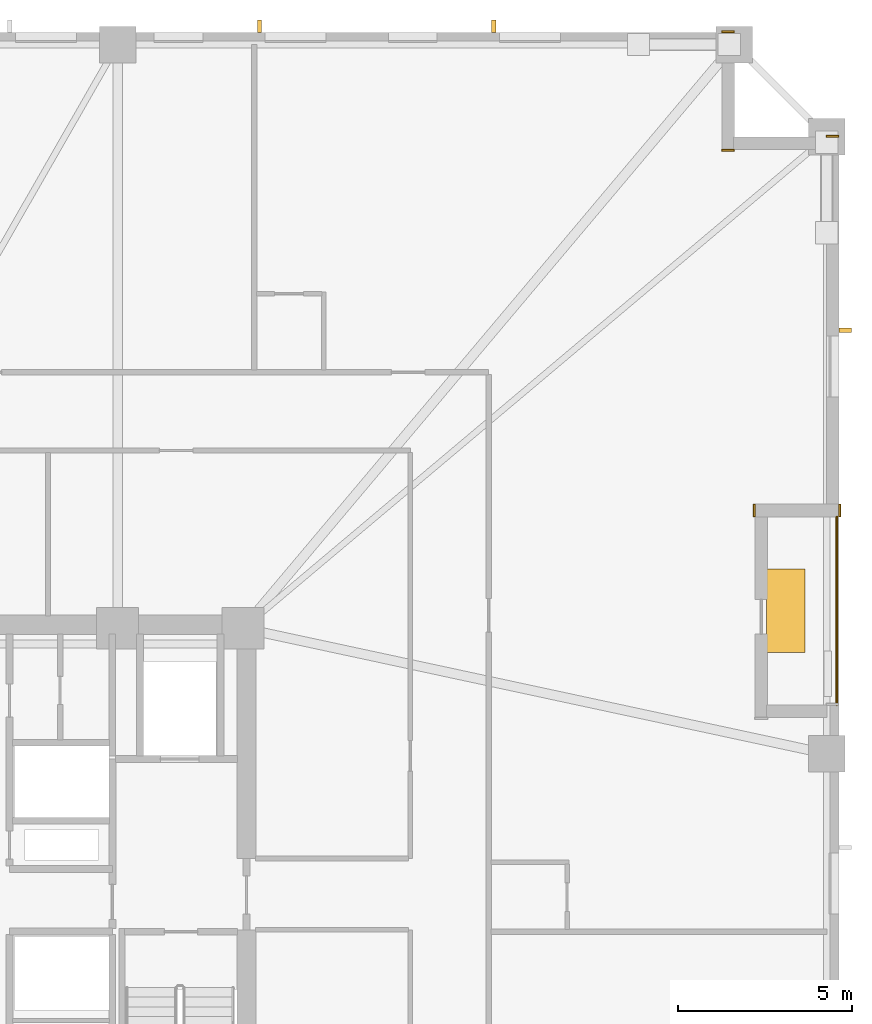
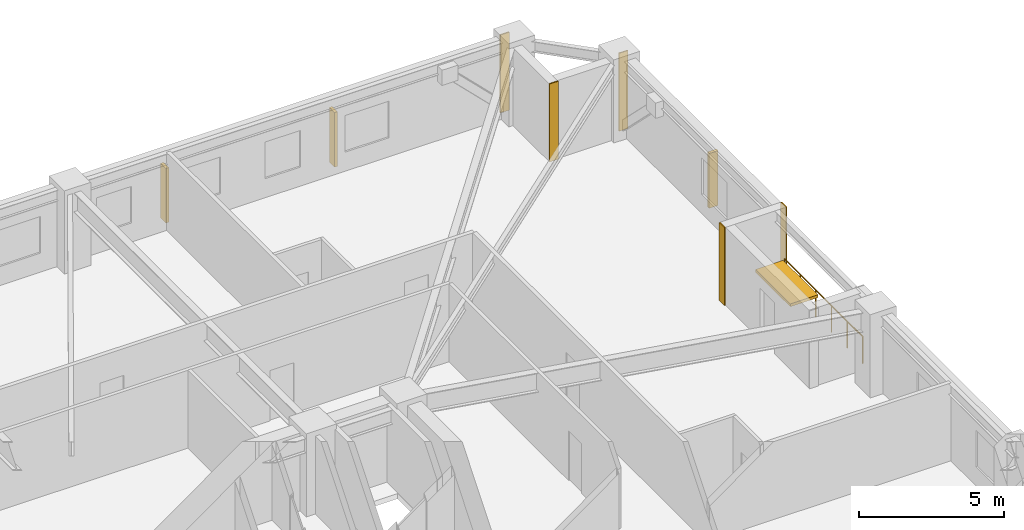
# One storey, part 11 of 11: 5 coverings, 4 shading devices, 1 railing.
"""IFC4 building model written with IfcOpenShell, lengths in metres."""

import ifcopenshell
import ifcopenshell.guid

model = None  # the IFC model being written
_history = None  # IfcOwnerHistory: only IFC2X3 demands one
_inside = {}  # id of a spatial element -> (the spatial element, [elements in it])
_under = {}  # id of a project, library or spatial element -> (it, [spatial elements below it])
_declared = {}  # id of a project -> (the project, [libraries it declares])
_typed = {}  # id of a type object -> (the type object, [elements of that type])
_made_of = {}  # id of a material, layer set ... -> (it, [elements and type objects made of it])


def new_model(schema):
    """Start an empty IFC model of exactly this schema.

    Asked for "IFC4X3", IfcOpenShell would pick the latest addendum, in which some entities
    have other attributes; the version numbers below select the first issue.
    IFC2X3 requires an IfcOwnerHistory on every rooted entity: one is made here for all.
    """
    global model, _history
    if schema == "IFC4X3":
        model = ifcopenshell.file(schema_version=(4, 3, 0, 0))
    else:
        model = ifcopenshell.file(schema=schema)
    _inside.clear()
    _under.clear()
    _declared.clear()
    _typed.clear()
    _made_of.clear()
    _history = None
    if model.schema == "IFC2X3":
        org = make("IfcOrganization", Name="unknown")
        user = make(
            "IfcPersonAndOrganization",
            ThePerson=make("IfcPerson", FamilyName="unknown"),
            TheOrganization=org,
        )
        app = make(
            "IfcApplication",
            ApplicationDeveloper=org,
            Version="unknown",
            ApplicationFullName="unknown",
            ApplicationIdentifier="unknown",
        )
        _history = make(
            "IfcOwnerHistory",
            OwningUser=user,
            OwningApplication=app,
            ChangeAction="ADDED",
            CreationDate=0,
        )
    return model


def make(cls, **values):
    """One entity of the class cls with the attributes given. An attribute that is None is left unset."""
    return model.create_entity(
        cls, **{name: value for name, value in values.items() if value is not None}
    )


def rooted(cls, **values):
    """An entity with a GlobalId (a new one), such as an element, a storey or a relation."""
    return make(cls, GlobalId=ifcopenshell.guid.new(), OwnerHistory=_history, **values)


def si_unit(unit_type, name, prefix=None):
    """IfcSIUnit, for example si_unit("LENGTHUNIT", "METRE", prefix="MILLI")."""
    return make("IfcSIUnit", UnitType=unit_type, Prefix=prefix, Name=name)


def assignment(units):
    """IfcUnitAssignment: the units of a project."""
    return None if units is None else make("IfcUnitAssignment", Units=units)


def point(xyz):
    """IfcCartesianPoint."""
    return None if xyz is None else make("IfcCartesianPoint", Coordinates=xyz)


def direction(xyz):
    """IfcDirection."""
    return None if xyz is None else make("IfcDirection", DirectionRatios=xyz)


def frame(location, z_axis=None, x_axis=None):
    """IfcAxis2Placement3D, a coordinate frame: its origin and axes. An axis left out is left unset."""
    return make(
        "IfcAxis2Placement3D",
        Location=point(location),
        Axis=direction(z_axis),
        RefDirection=direction(x_axis),
    )


def frame_2d(location, x_axis=None):
    """IfcAxis2Placement2D, a coordinate frame in the plane: its origin and x axis."""
    return make(
        "IfcAxis2Placement2D", Location=point(location), RefDirection=direction(x_axis)
    )


def origin():
    """The frame at (0, 0, 0) with its axes left unset."""
    return frame((0.0, 0.0, 0.0))


def origin_2d():
    """The frame at (0, 0) in the plane with its x axis left unset."""
    return frame_2d((0.0, 0.0))


def place(relative_to, where):
    """IfcLocalPlacement: puts the frame where relative to a parent placement (None: the world)."""
    return make(
        "IfcLocalPlacement", PlacementRelTo=relative_to, RelativePlacement=where
    )


def context(
    kind, dimensions, precision=None, world=None, true_north=None, identifier=None
):
    """IfcGeometricRepresentationContext, for example the 3D "Model" context."""
    return make(
        "IfcGeometricRepresentationContext",
        ContextIdentifier=identifier,
        ContextType=kind,
        CoordinateSpaceDimension=dimensions,
        Precision=precision,
        WorldCoordinateSystem=world,
        TrueNorth=true_north,
    )


def subcontext(parent, identifier, kind, view, scale=None):
    """IfcGeometricRepresentationSubContext, for example "Body" below "Model"."""
    return make(
        "IfcGeometricRepresentationSubContext",
        ContextIdentifier=identifier,
        ContextType=kind,
        ParentContext=parent,
        TargetScale=scale,
        TargetView=view,
    )


def project(units=None, contexts=None):
    """IfcProject with its units and contexts."""
    return rooted(
        "IfcProject",
        Name="project",
        RepresentationContexts=contexts,
        UnitsInContext=assignment(units),
    )


def spatial(cls, under=None, at=None, **own):
    """A site, building, storey or space (cls), placed at a placement, below another one or the project."""
    s = rooted(cls, ObjectPlacement=at, **own)
    if under is not None:
        _under.setdefault(under.id(), (under, []))[1].append(s)
    return s


def profile(cls, at=None, kind="AREA", **sizes):
    """A parametric profile (cls). Its sizes go by their IFC names, for example OverallWidth=200.0."""
    return make(cls, ProfileType=kind, Position=at, **sizes)


def rectangle(**sizes):
    """IfcRectangleProfileDef."""
    return profile("IfcRectangleProfileDef", **sizes)


def circle(**sizes):
    """IfcCircleProfileDef."""
    return profile("IfcCircleProfileDef", **sizes)


def extrude(swept, where, along, depth):
    """IfcExtrudedAreaSolid: the profile swept, set in the frame where, extruded along a direction by depth."""
    return make(
        "IfcExtrudedAreaSolid",
        SweptArea=swept,
        Position=where,
        ExtrudedDirection=direction(along),
        Depth=depth,
    )


def shape(context_of_items, identifier, shape_type, items):
    """IfcShapeRepresentation: the items that make up one representation, for example the "Body"."""
    return make(
        "IfcShapeRepresentation",
        ContextOfItems=context_of_items,
        RepresentationIdentifier=identifier,
        RepresentationType=shape_type,
        Items=items,
    )


def material(Name=None, Category=None):
    """IfcMaterial."""
    return make("IfcMaterial", Name=Name, Category=Category)


def layer(
    of_material, thickness, ventilated=None, Name=None, Category=None, Priority=None
):
    """IfcMaterialLayer: one layer of a wall or slab, of a material (None: an air gap)."""
    return make(
        "IfcMaterialLayer",
        Material=of_material,
        LayerThickness=thickness,
        IsVentilated=ventilated,
        Name=Name,
        Category=Category,
        Priority=Priority,
    )


def layer_set(layers, Name=None):
    """IfcMaterialLayerSet."""
    return make("IfcMaterialLayerSet", MaterialLayers=layers, LayerSetName=Name)


def made_of(thing, what):
    """Note that an element or type object is made of a material, layer set ...; save() writes the relation."""
    if what is not None:
        _made_of.setdefault(what.id(), (what, []))[1].append(thing)
    return thing


def type_object(cls, material=None, **own):
    """A type object (cls), such as IfcWallType, which elements share."""
    return made_of(rooted(cls, **own), material)


def element(
    cls,
    number,
    at=None,
    inside=None,
    cuts=None,
    type_object=None,
    material=None,
    context=None,
    identifier="Body",
    shape_type=None,
    held_by="IfcProductDefinitionShape",
    body=None,
    shapes=None,
    **own,
):
    """One element of the class cls, such as IfcWall. Its Tag is "e" and its number.

    at: its placement. inside: the storey or other place that contains it. cuts: it is an
    opening in that element (IfcRelVoidsElement). A single representation is given by context,
    identifier, shape_type and body (its items); several are given by shapes. held_by: the class
    of the entity that holds the representations. save() writes the other relations.
    """
    e = rooted(cls, Tag="e%d" % number, ObjectPlacement=at, **own)
    if body is not None:
        shapes = [shape(context, identifier, shape_type, body)]
    if shapes is not None:
        e.Representation = make(held_by, Representations=shapes)
    if inside is not None:
        _inside.setdefault(inside.id(), (inside, []))[1].append(e)
    if cuts is not None:
        rooted(
            "IfcRelVoidsElement", RelatingBuildingElement=cuts, RelatedOpeningElement=e
        )
    if type_object is not None:
        _typed.setdefault(type_object.id(), (type_object, []))[1].append(e)
    return made_of(e, material)


def aggregate(whole, parts):
    """IfcRelAggregates: a whole, such as a stair, and the parts it consists of."""
    return rooted("IfcRelAggregates", RelatingObject=whole, RelatedObjects=parts)


def save(model, path):
    """Write the relations noted so far, then the file.

    IfcRelAggregates (storeys below a building ...), IfcRelContainedInSpatialStructure (elements
    in a storey), IfcRelDefinesByType, IfcRelAssociatesMaterial and IfcRelDeclares: one each for
    every whole, place, type object, material and project.
    """
    for whole, parts in _under.values():
        aggregate(whole, parts)
    for where, things in _inside.values():
        rooted(
            "IfcRelContainedInSpatialStructure",
            RelatedElements=things,
            RelatingStructure=where,
        )
    for kind, things in _typed.values():
        rooted("IfcRelDefinesByType", RelatedObjects=things, RelatingType=kind)
    for what, things in _made_of.values():
        rooted("IfcRelAssociatesMaterial", RelatedObjects=things, RelatingMaterial=what)
    for by, libraries in _declared.values():
        rooted("IfcRelDeclares", RelatingContext=by, RelatedDefinitions=libraries)
    model.write(path)


model = new_model("IFC4")

# Units and contexts
model_context = context("Model", 3, precision=1e-05, world=origin(), true_north=direction((0.0, 1.0)))
body_context = subcontext(model_context, "Body", "Model", "MODEL_VIEW")
ifc_project = project(units=[si_unit("LENGTHUNIT", "METRE"), si_unit("AREAUNIT", "SQUARE_METRE"), si_unit("VOLUMEUNIT", "CUBIC_METRE"), si_unit("PLANEANGLEUNIT", "RADIAN"), si_unit("MASSUNIT", "GRAM", prefix="KILO")], contexts=[model_context])

# Site, building, storey
site_placement = place(None, origin())
site = spatial("IfcSite", under=ifc_project, at=site_placement, CompositionType="ELEMENT")
building_placement = place(site_placement, origin())
building = spatial("IfcBuilding", under=site, at=building_placement, Name="Cairnveth Concourse Tower", CompositionType="ELEMENT")
storey_placement = place(building_placement, frame((0.0, 0.0, 79.5)))
storey = spatial("IfcBuildingStorey", under=building, at=storey_placement, Name="L21", CompositionType="ELEMENT", Elevation=79.5)

# Coverings
ifc_material_1 = material(Name="Dressed Melbourne Bluestone Cladding", Category="masonry")
ifc_layer = layer(ifc_material_1, 0.050048828125)
ifc_layer_set = layer_set([ifc_layer], Name="Dressed Melbourne Bluestone Cladding")
covering_type = type_object("IfcCoveringType", Name="DRESSED BLUESTONE PLINTH CLADDING 50", PredefinedType="CLADDING", material=ifc_layer_set)
for number, where, z_axis, x_axis, name in (
    (1, (74.139892578125, 64.52001953125, 0.0), (0.0, 0.0, 1.0), (1.0, 0.0, 0.0), "Melbourne Bluestone Corner Quoin L21-289"),
    (2, (74.139892578125, 61.1201171875, 0.0), (0.0, 0.0, 1.0), (1.0, 0.0, 0.0), "Melbourne Bluestone Corner Quoin L21-290"),
    (3, (77.139892578125, 61.52001953125, 0.0), (0.0, 0.0, 1.0), (1.0, 0.0, 0.0), "Melbourne Bluestone Corner Quoin L21-291"),
):
    element("IfcCovering", number, at=place(storey_placement, frame(where, z_axis=z_axis, x_axis=x_axis)), inside=storey, type_object=covering_type, Name=name, PredefinedType="CLADDING", context=body_context, shape_type="SweptSolid", body=[
        extrude(rectangle(XDim=0.360107421875, YDim=0.050048828125, at=frame_2d((0.18017578125, 0.0))), origin(), (0.0, 0.0, 1.0), 3.280029296875),
    ])
for number, where, z_axis, x_axis, name in (
    (4, (77.52001953125, 50.9599609375, 0.0), (0.0, 0.0, 1.0), (0.0, -1.0, 0.0), "Melbourne Bluestone Corner Quoin L21-292"),
    (5, (75.070068359375, 50.9599609375, 0.0), (0.0, 0.0, 1.0), (0.0, -1.0, 0.0), "Melbourne Bluestone Corner Quoin L21-293"),
):
    element("IfcCovering", number, at=place(storey_placement, frame(where, z_axis=z_axis, x_axis=x_axis)), inside=storey, type_object=covering_type, Name=name, PredefinedType="CLADDING", context=body_context, shape_type="SweptSolid", body=[
        extrude(rectangle(XDim=0.35986328125, YDim=0.050048828125, at=frame_2d((0.179931640625, 0.0))), origin(), (0.0, 0.0, 1.0), 3.280029296875),
    ])

# Shading devices
ifc_material_2 = material(Name="Architectural Bronze Anodised Aluminium 6063-T6", Category="aluminium")
shading_device_type_1 = type_object("IfcShadingDeviceType", Name="GOTHIC BRONZE VERTICAL LANCET FIN", PredefinedType="USERDEFINED", material=ifc_material_2)
for number, where, z_axis, x_axis, name in (
    (6, (60.87646484375, 64.675048828125, 0.02978515625), (0.0, 0.0, 1.0), (1.0, 0.0, 0.0), "Gothic Bronze Vertical Fin L21-9-9"),
    (7, (67.596923828125, 64.675048828125, 0.02978515625), (0.0, 0.0, 1.0), (1.0, 0.0, 0.0), "Gothic Bronze Vertical Fin L21-9-11"),
    (8, (77.675048828125, 55.9541015625, 0.02978515625), (0.0, 0.0, 1.0), (0.0, 1.0, 0.0), "Gothic Bronze Vertical Fin L21-12-1"),
):
    element("IfcShadingDevice", number, at=place(storey_placement, frame(where, z_axis=z_axis, x_axis=x_axis)), inside=storey, type_object=shading_device_type_1, Name=name, ObjectType="VERTICAL FIN", PredefinedType="USERDEFINED", context=body_context, shape_type="SweptSolid", body=[
        extrude(rectangle(XDim=0.1201171875, YDim=0.360107421875, at=origin_2d()), origin(), (0.0, 0.0, 1.0), 2.303955078125),
    ])
shading_device_type_2 = type_object("IfcShadingDeviceType", Name="SPIRAL TERRACE SUNSHADE CANOPY", PredefinedType="USERDEFINED", material=ifc_material_2)
shading_device_placement = place(storey_placement, frame((75.969970703125, 47.89990234375, 2.183837890625), z_axis=(0.0, 0.0, 1.0), x_axis=(1.0, 0.0, 0.0)))
element("IfcShadingDevice", 9, at=shading_device_placement, inside=storey, type_object=shading_device_type_2, Name="Spiral Terrace Sunshade L21", ObjectType="TERRACE SUNSHADE", PredefinedType="USERDEFINED", context=body_context, shape_type="SweptSolid", body=[
    extrude(rectangle(XDim=1.10009765625, YDim=2.39990234375, at=origin_2d()), origin(), (0.0, 0.0, 1.0), 0.1201171875),
])

# Railing
railing_type = type_object("IfcRailingType", Name="TERRACE BRONZE BALUSTRADE 1150", PredefinedType="BALUSTRADE", material=ifc_material_2)
railing_placement = place(storey_placement, frame((77.43994140625, 45.199951171875, 0.0)))
element("IfcRailing", 10, at=railing_placement, inside=storey, type_object=railing_type, Name="Terrace Balustrade RL-L21-TERR", PredefinedType="BALUSTRADE", context=body_context, shape_type="SweptSolid", body=[
    extrude(circle(Radius=0.02490234375, at=origin_2d()), frame((0.0, 0.0, 1.125), z_axis=(0.0, 1.0, 0.0), x_axis=(-1.0, 0.0, 0.0)), (0.0, 0.0, 1.0), 5.400146484375),
    extrude(circle(Radius=0.02099609375, at=origin_2d()), origin(), (0.0, 0.0, 1.0), 1.099853515625),
    extrude(circle(Radius=0.02099609375, at=origin_2d()), frame((0.0, 1.080078125, 0.0)), (0.0, 0.0, 1.0), 1.099853515625),
    extrude(circle(Radius=0.02099609375, at=origin_2d()), frame((0.0, 2.16015625, 0.0)), (0.0, 0.0, 1.0), 1.099853515625),
    extrude(circle(Radius=0.02099609375, at=origin_2d()), frame((0.0, 3.239990234375, 0.0)), (0.0, 0.0, 1.0), 1.099853515625),
    extrude(circle(Radius=0.02099609375, at=origin_2d()), frame((0.0, 4.320068359375, 0.0)), (0.0, 0.0, 1.0), 1.099853515625),
    extrude(circle(Radius=0.02099609375, at=origin_2d()), frame((0.0, 5.400146484375, 0.0)), (0.0, 0.0, 1.0), 1.099853515625),
])

save(model, "model.ifc")
